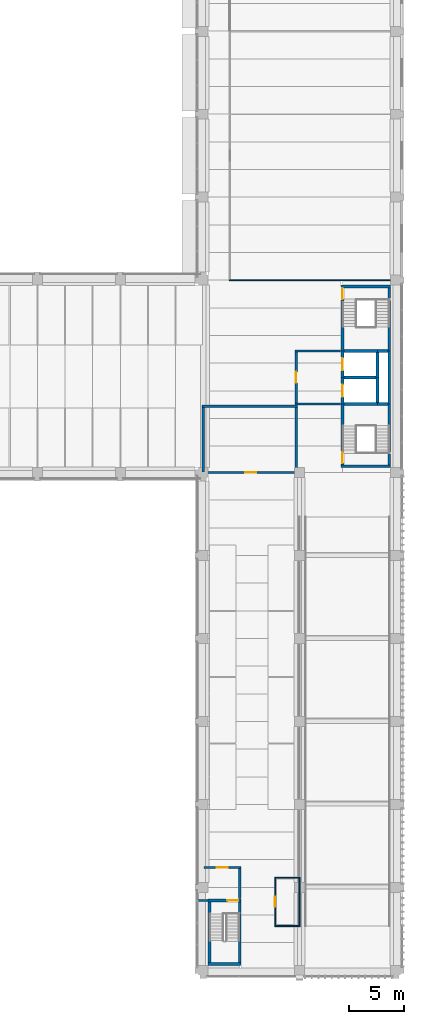
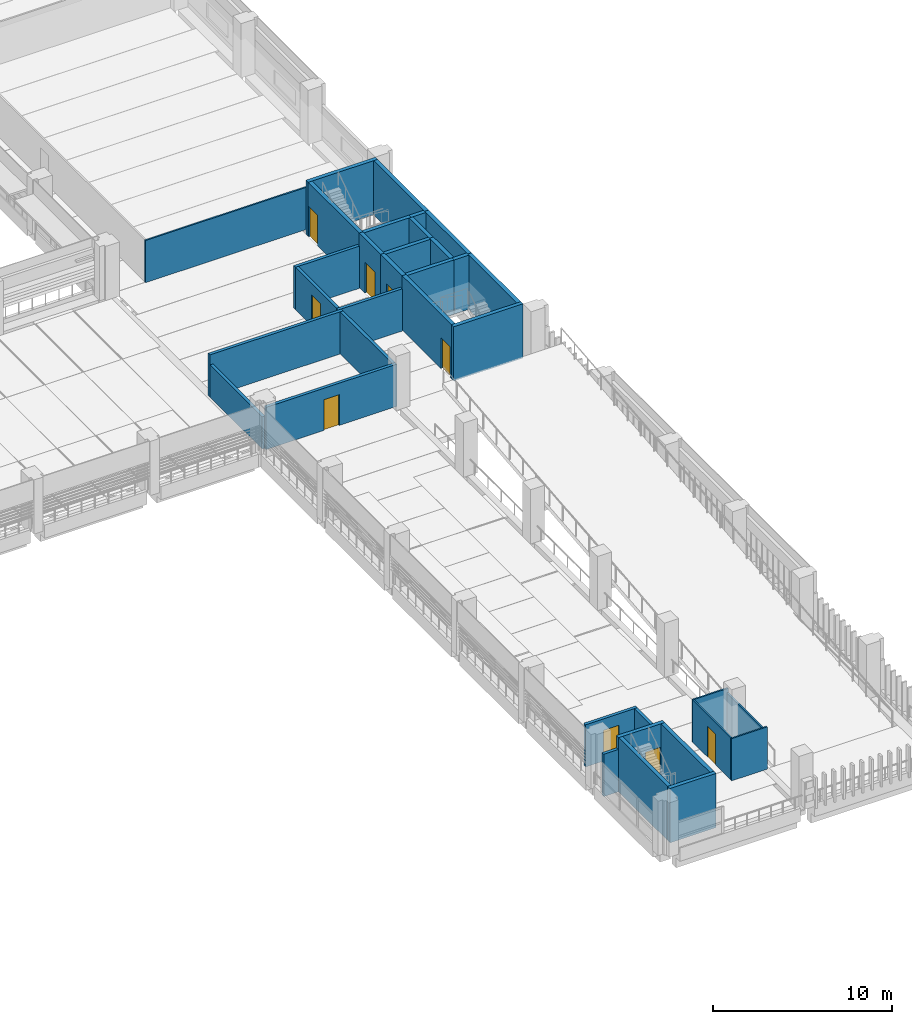
# One storey, part 33 of 57: 35 walls, 9 doors, 9 openings.
"""IFC4 building model written with IfcOpenShell, lengths in metres."""

from ifc_helpers import new_model, si_unit, direction, frame, frame_2d, origin, place, context, subcontext, project, spatial, rectangle, extrude, material, layer, layer_set, type_object, element, fill, save


model = new_model("IFC4")

# Units and contexts
model_context = context("Model", 3, precision=1e-05, world=origin(), true_north=direction((0.0, 1.0)))
body_context = subcontext(model_context, "Body", "Model", "MODEL_VIEW")
ifc_project = project(units=[si_unit("LENGTHUNIT", "METRE"), si_unit("AREAUNIT", "SQUARE_METRE"), si_unit("VOLUMEUNIT", "CUBIC_METRE"), si_unit("PLANEANGLEUNIT", "RADIAN"), si_unit("MASSUNIT", "GRAM", prefix="KILO")], contexts=[model_context])

# Site, building, storey
site_placement = place(None, origin())
site = spatial("IfcSite", under=ifc_project, at=site_placement, CompositionType="ELEMENT")
building_placement = place(site_placement, origin())
building = spatial("IfcBuilding", under=site, at=building_placement, Name="Cour d'Honneur Mobility Palace", CompositionType="ELEMENT")
storey_placement = place(building_placement, frame((0.0, 0.0, 8.199951171875)))
storey = spatial("IfcBuildingStorey", under=building, at=storey_placement, Name="L02", CompositionType="ELEMENT", Elevation=8.199951171875)

# Wall
ifc_material_1 = material(Name="Concrete C50", Category="concrete")
ifc_layer_1 = layer(ifc_material_1, 0.25)
ifc_layer_set_1 = layer_set([ifc_layer_1], Name="Concrete C50")
wall_type_1 = type_object("IfcWallType", Name="Lift shaft wall 250", PredefinedType="SHEAR", material=ifc_layer_set_1)
wall_1_placement = place(storey_placement, frame((157.625, 53.60009765625, 0.0), z_axis=(0.0, 0.0, 1.0), x_axis=(1.0, 0.0, 0.0)))
element("IfcWall", 1, at=wall_1_placement, inside=storey, type_object=wall_type_1, Name="Lift shaft wall WL-CE4 L02", PredefinedType="SHEAR", context=body_context, shape_type="SweptSolid", body=[
    extrude(rectangle(XDim=2.89990234375, YDim=0.25, at=frame_2d((1.449951171875, 0.0))), origin(), (0.0, 0.0, 1.0), 3.699951171875),
])

# Wall, opening, door
wall_2_placement = place(storey_placement, frame((157.5, 51.199951171875, 0.0), z_axis=(0.0, 0.0, 1.0), x_axis=(0.0, 1.0, 0.0)))
wall_2 = element("IfcWall", 2, at=wall_2_placement, inside=storey, type_object=wall_type_1, Name="Lift shaft wall WL-CE9 L02", PredefinedType="SHEAR", context=body_context, shape_type="SweptSolid", body=[
    extrude(rectangle(XDim=2.400146484375, YDim=0.25, at=frame_2d((1.2001953125, 0.0))), origin(), (0.0, 0.0, 1.0), 3.699951171875),
])
opening_1_placement = place(wall_2_placement, frame((0.64990234375, 0.0, 0.0)))
opening_1 = element("IfcOpeningElement", 3, at=opening_1_placement, cuts=wall_2, Name="Opening LD23", PredefinedType="OPENING", context=body_context, shape_type="SweptSolid", body=[
    extrude(rectangle(XDim=1.10009765625, YDim=2.10009765625, at=frame_2d((0.550048828125, 1.050048828125))), frame((0.0, 0.135009765625, 0.0), z_axis=(0.0, -1.0, 0.0), x_axis=(1.0, 0.0, 0.0)), (0.0, 0.0, 1.0), 0.27001953125),
])
ifc_material_2 = material(Name="Stainless steel", Category="steel")
door_type_1 = type_object("IfcDoorType", Name="Landing door 1100 x 2100", OperationType="SLIDING_TO_LEFT", PredefinedType="DOOR", material=ifc_material_2)
door_1_placement = place(opening_1_placement, origin())
door_1 = element("IfcDoor", 4, at=door_1_placement, inside=storey, type_object=door_type_1, Name="Landing door LF-CE1 L02", OperationType="SLIDING_TO_LEFT", OverallHeight=2.10009765625, OverallWidth=1.10009765625, PredefinedType="DOOR", context=body_context, shape_type="SweptSolid", body=[
    extrude(rectangle(XDim=1.10009765625, YDim=2.10009765625, at=frame_2d((0.550048828125, 1.050048828125))), frame((0.0, 0.02490234375, 0.0), z_axis=(0.0, -1.0, 0.0), x_axis=(1.0, 0.0, 0.0)), (0.0, 0.0, 1.0), 0.050048828125),
])
fill(opening_1, door_1)

wall_3_placement = place(storey_placement, frame((157.5, 53.60009765625, 0.0), z_axis=(0.0, 0.0, 1.0), x_axis=(0.0, 1.0, 0.0)))
wall_3 = element("IfcWall", 5, at=wall_3_placement, inside=storey, type_object=wall_type_1, Name="Lift shaft wall WL-CE10 L02", PredefinedType="SHEAR", context=body_context, shape_type="SweptSolid", body=[
    extrude(rectangle(XDim=2.39990234375, YDim=0.25, at=frame_2d((1.199951171875, 0.0))), origin(), (0.0, 0.0, 1.0), 3.699951171875),
])
opening_2_placement = place(wall_3_placement, frame((0.64990234375, 0.0, 0.0)))
opening_2 = element("IfcOpeningElement", 6, at=opening_2_placement, cuts=wall_3, Name="Opening LD33", PredefinedType="OPENING", context=body_context, shape_type="SweptSolid", body=[
    extrude(rectangle(XDim=1.10009765625, YDim=2.10009765625, at=frame_2d((0.550048828125, 1.050048828125))), frame((0.0, 0.135009765625, 0.0), z_axis=(0.0, -1.0, 0.0), x_axis=(1.0, 0.0, 0.0)), (0.0, 0.0, 1.0), 0.27001953125),
])
door_2_placement = place(opening_2_placement, origin())
door_2 = element("IfcDoor", 7, at=door_2_placement, inside=storey, type_object=door_type_1, Name="Landing door LF-CE2 L02", OperationType="SLIDING_TO_LEFT", OverallHeight=2.10009765625, OverallWidth=1.10009765625, PredefinedType="DOOR", context=body_context, shape_type="SweptSolid", body=[
    extrude(rectangle(XDim=1.10009765625, YDim=2.10009765625, at=frame_2d((0.550048828125, 1.050048828125))), frame((0.0, 0.02490234375, 0.0), z_axis=(0.0, -1.0, 0.0), x_axis=(1.0, 0.0, 0.0)), (0.0, 0.0, 1.0), 0.050048828125),
])
fill(opening_2, door_2)

# Walls
wall_4_placement = place(storey_placement, frame((160.64990234375, 51.324951171875, 0.0), z_axis=(0.0, 0.0, 1.0), x_axis=(0.0, 1.0, 0.0)))
element("IfcWall", 8, at=wall_4_placement, inside=storey, type_object=wall_type_1, Name="Lift shaft wall WL-CE12 L02", PredefinedType="SHEAR", context=body_context, shape_type="SweptSolid", body=[
    extrude(rectangle(XDim=2.275146484375, YDim=0.25, at=frame_2d((1.1376953125, 0.0))), origin(), (0.0, 0.0, 1.0), 3.699951171875),
])
wall_5_placement = place(storey_placement, frame((160.64990234375, 53.60009765625, 0.0), z_axis=(0.0, 0.0, 1.0), x_axis=(0.0, 1.0, 0.0)))
element("IfcWall", 9, at=wall_5_placement, inside=storey, type_object=wall_type_1, Name="Lift shaft wall WL-CE13 L02", PredefinedType="SHEAR", context=body_context, shape_type="SweptSolid", body=[
    extrude(rectangle(XDim=2.27490234375, YDim=0.25, at=frame_2d((1.137451171875, 0.0))), origin(), (0.0, 0.0, 1.0), 3.699951171875),
])
ifc_material_3 = material(Name="Gypsum plasterboard")
ifc_layer_2 = layer(ifc_material_3, 0.10009765625)
ifc_layer_set_2 = layer_set([ifc_layer_2], Name="Gypsum plasterboard")
wall_type_2 = type_object("IfcWallType", Name="Partition 100", PredefinedType="PARTITIONING", material=ifc_layer_set_2)
wall_6_placement = place(storey_placement, frame((151.35009765625, 4.0, 0.0), z_axis=(0.0, 0.0, 1.0), x_axis=(1.0, 0.0, 0.0)))
element("IfcWall", 10, at=wall_6_placement, inside=storey, type_object=wall_type_2, Name="Partition 003", PredefinedType="PARTITIONING", context=body_context, shape_type="SweptSolid", body=[
    extrude(rectangle(XDim=2.2998046875, YDim=0.10009765625, at=frame_2d((1.14990234375, 0.0))), origin(), (0.0, 0.0, 1.0), 2.880126953125),
])

# Wall, opening, door
wall_7_placement = place(storey_placement, frame((151.39990234375, 8.300048828125, 0.0), z_axis=(0.0, 0.0, 1.0), x_axis=(0.0, -1.0, 0.0)))
wall_7 = element("IfcWall", 11, at=wall_7_placement, inside=storey, type_object=wall_type_2, Name="Partition 010", PredefinedType="PARTITIONING", context=body_context, shape_type="SweptSolid", body=[
    extrude(rectangle(XDim=4.25, YDim=0.10009765625, at=frame_2d((2.125, 0.0))), origin(), (0.0, 0.0, 1.0), 2.880126953125),
])
opening_3_placement = place(wall_7_placement, frame((1.675048828125, 0.0, 0.0)))
opening_3 = element("IfcOpeningElement", 12, at=opening_3_placement, cuts=wall_7, Name="Opening D0210", PredefinedType="OPENING", context=body_context, shape_type="SweptSolid", body=[
    extrude(rectangle(XDim=0.89990234375, YDim=2.10009765625, at=frame_2d((0.449951171875, 1.050048828125))), frame((0.0, 0.06005859375, 0.0), z_axis=(0.0, -1.0, 0.0), x_axis=(1.0, 0.0, 0.0)), (0.0, 0.0, 1.0), 0.1201171875),
])
ifc_material_4 = material(Name="Solid timber", Category="wood")
door_type_2 = type_object("IfcDoorType", Name="Single door 900 x 2100", OperationType="SINGLE_SWING_LEFT", PredefinedType="DOOR", material=ifc_material_4)
door_3_placement = place(opening_3_placement, origin())
door_3 = element("IfcDoor", 13, at=door_3_placement, inside=storey, type_object=door_type_2, Name="Door Attendant Room East", OperationType="SINGLE_SWING_RIGHT", OverallHeight=2.10009765625, OverallWidth=0.89990234375, PredefinedType="DOOR", context=body_context, shape_type="SweptSolid", body=[
    extrude(rectangle(XDim=0.89990234375, YDim=2.10009765625, at=frame_2d((0.449951171875, 1.050048828125))), frame((0.0, 0.02490234375, 0.0), z_axis=(0.0, -1.0, 0.0), x_axis=(1.0, 0.0, 0.0)), (0.0, 0.0, 1.0), 0.050048828125),
])
fill(opening_3, door_3)

# Walls
wall_8_placement = place(storey_placement, frame((153.64990234375, 8.35009765625, 0.0), z_axis=(0.0, 0.0, 1.0), x_axis=(-1.0, 0.0, 0.0)))
element("IfcWall", 14, at=wall_8_placement, inside=storey, type_object=wall_type_2, Name="Partition 011", PredefinedType="PARTITIONING", context=body_context, shape_type="SweptSolid", body=[
    extrude(rectangle(XDim=2.2998046875, YDim=0.10009765625, at=frame_2d((1.14990234375, 0.0))), origin(), (0.0, 0.0, 1.0), 2.880126953125),
])
wall_9_placement = place(storey_placement, frame((147.25, 62.39990234375, 0.0), z_axis=(0.0, 0.0, 1.0), x_axis=(1.0, 0.0, 0.0)))
element("IfcWall", 15, at=wall_9_placement, inside=storey, type_object=wall_type_2, Name="Partition 043", PredefinedType="PARTITIONING", context=body_context, shape_type="SweptSolid", body=[
    extrude(rectangle(XDim=14.989990234375, YDim=0.10009765625, at=frame_2d((7.4951171875, 0.0))), origin(), (0.0, 0.0, 1.0), 2.880126953125),
])
ifc_material_5 = material(Name="Gypsum plasterboard")
ifc_layer_3 = layer(ifc_material_5, 0.10009765625)
ifc_layer_set_3 = layer_set([ifc_layer_3], Name="Gypsum plasterboard")
wall_type_3 = type_object("IfcWallType", Name="Partition 100 under beam 1100", PredefinedType="PARTITIONING", material=ifc_layer_set_3)
wall_10_placement = place(storey_placement, frame((153.60009765625, 4.050048828125, 0.0), z_axis=(0.0, 0.0, 1.0), x_axis=(0.0, 1.0, 0.0)))
element("IfcWall", 16, at=wall_10_placement, inside=storey, type_object=wall_type_3, Name="Partition 004", PredefinedType="PARTITIONING", context=body_context, shape_type="SweptSolid", body=[
    extrude(rectangle(XDim=4.25, YDim=0.10009765625, at=frame_2d((2.125, 0.0))), origin(), (0.0, 0.0, 1.0), 2.60009765625),
])
ifc_material_6 = material(Name="Gypsum plasterboard")
ifc_layer_4 = layer(ifc_material_6, 0.199951171875)
ifc_layer_set_4 = layer_set([ifc_layer_4], Name="Gypsum plasterboard")
wall_type_4 = type_object("IfcWallType", Name="Partition 200 rated EI 120", PredefinedType="PARTITIONING", material=ifc_layer_set_4)
wall_11_placement = place(storey_placement, frame((144.39990234375, 6.300048828125, 0.0), z_axis=(0.0, 0.0, 1.0), x_axis=(1.0, 0.0, 0.0)))
element("IfcWall", 17, at=wall_11_placement, inside=storey, type_object=wall_type_4, Name="Partition 006", PredefinedType="PARTITIONING", context=body_context, shape_type="SweptSolid", body=[
    extrude(rectangle(XDim=0.9501953125, YDim=0.199951171875, at=frame_2d((0.47509765625, 0.0))), origin(), (0.0, 0.0, 1.0), 2.880126953125),
])
wall_12_placement = place(storey_placement, frame((148.199951171875, 6.47509765625, 0.0), z_axis=(0.0, 0.0, 1.0), x_axis=(0.0, 1.0, 0.0)))
element("IfcWall", 18, at=wall_12_placement, inside=storey, type_object=wall_type_4, Name="Partition 007", PredefinedType="PARTITIONING", context=body_context, shape_type="SweptSolid", body=[
    extrude(rectangle(XDim=2.724853515625, YDim=0.199951171875, at=frame_2d((1.3623046875, 0.0))), origin(), (0.0, 0.0, 1.0), 2.880126953125),
])

# Wall, opening, door
wall_13_placement = place(storey_placement, frame((148.300048828125, 9.300048828125, 0.0), z_axis=(0.0, 0.0, 1.0), x_axis=(-1.0, 0.0, 0.0)))
wall_13 = element("IfcWall", 19, at=wall_13_placement, inside=storey, type_object=wall_type_4, Name="Partition 014", PredefinedType="PARTITIONING", context=body_context, shape_type="SweptSolid", body=[
    extrude(rectangle(XDim=3.340087890625, YDim=0.199951171875, at=frame_2d((1.669921875, 0.0))), origin(), (0.0, 0.0, 1.0), 2.880126953125),
])
opening_4_placement = place(wall_13_placement, frame((1.169921875, 0.0, 0.0)))
opening_4 = element("IfcOpeningElement", 20, at=opening_4_placement, cuts=wall_13, Name="Opening D0208", PredefinedType="OPENING", context=body_context, shape_type="SweptSolid", body=[
    extrude(rectangle(XDim=1.0, YDim=2.10009765625, at=frame_2d((0.5, 1.050048828125))), frame((0.0, 0.10986328125, 0.0), z_axis=(0.0, -1.0, 0.0), x_axis=(1.0, 0.0, 0.0)), (0.0, 0.0, 1.0), 0.219970703125),
])
ifc_material_7 = material(Name="Galvanised steel", Category="steel")
door_type_3 = type_object("IfcDoorType", Name="Fire door FD120 1000 x 2100", OperationType="SINGLE_SWING_LEFT", PredefinedType="DOOR", material=ifc_material_7)
door_4_placement = place(opening_4_placement, origin())
door_4 = element("IfcDoor", 21, at=door_4_placement, inside=storey, type_object=door_type_3, Name="Door Stair Lobby RE", OperationType="SINGLE_SWING_RIGHT", OverallHeight=2.10009765625, OverallWidth=1.0, PredefinedType="DOOR", context=body_context, shape_type="SweptSolid", body=[
    extrude(rectangle(XDim=1.0, YDim=2.10009765625, at=frame_2d((0.5, 1.050048828125))), frame((0.0, 0.02490234375, 0.0), z_axis=(0.0, -1.0, 0.0), x_axis=(1.0, 0.0, 0.0)), (0.0, 0.0, 1.0), 0.050048828125),
])
fill(opening_4, door_4)

wall_14_placement = place(storey_placement, frame((144.9599609375, 45.0, 0.0), z_axis=(0.0, 0.0, 1.0), x_axis=(1.0, 0.0, 0.0)))
wall_14 = element("IfcWall", 22, at=wall_14_placement, inside=storey, type_object=wall_type_4, Name="Partition 016", PredefinedType="PARTITIONING", context=body_context, shape_type="SweptSolid", body=[
    extrude(rectangle(XDim=8.43994140625, YDim=0.199951171875, at=frame_2d((4.219970703125, 0.0))), origin(), (0.0, 0.0, 1.0), 2.880126953125),
])
opening_5_placement = place(wall_14_placement, frame((3.719970703125, 0.0, 0.0)))
opening_5 = element("IfcOpeningElement", 23, at=opening_5_placement, cuts=wall_14, Name="Opening D0212", PredefinedType="OPENING", context=body_context, shape_type="SweptSolid", body=[
    extrude(rectangle(XDim=1.0, YDim=2.10009765625, at=frame_2d((0.5, 1.050048828125))), frame((0.0, 0.10986328125, 0.0), z_axis=(0.0, -1.0, 0.0), x_axis=(1.0, 0.0, 0.0)), (0.0, 0.0, 1.0), 0.219970703125),
])
door_5_placement = place(opening_5_placement, origin())
door_5 = element("IfcDoor", 24, at=door_5_placement, inside=storey, type_object=door_type_3, Name="Door EV Switch Room East", OperationType="SINGLE_SWING_LEFT", OverallHeight=2.10009765625, OverallWidth=1.0, PredefinedType="DOOR", context=body_context, shape_type="SweptSolid", body=[
    extrude(rectangle(XDim=1.0, YDim=2.10009765625, at=frame_2d((0.5, 1.050048828125))), frame((0.0, 0.02490234375, 0.0), z_axis=(0.0, -1.0, 0.0), x_axis=(1.0, 0.0, 0.0)), (0.0, 0.0, 1.0), 0.050048828125),
])
fill(opening_5, door_5)

# Walls
wall_15_placement = place(storey_placement, frame((153.300048828125, 45.10009765625, 0.0), z_axis=(0.0, 0.0, 1.0), x_axis=(0.0, 1.0, 0.0)))
element("IfcWall", 25, at=wall_15_placement, inside=storey, type_object=wall_type_4, Name="Partition 017", PredefinedType="PARTITIONING", context=body_context, shape_type="SweptSolid", body=[
    extrude(rectangle(XDim=5.7998046875, YDim=0.199951171875, at=frame_2d((2.89990234375, 0.0))), origin(), (0.0, 0.0, 1.0), 2.880126953125),
])
wall_16_placement = place(storey_placement, frame((153.39990234375, 51.0, 0.0), z_axis=(0.0, 0.0, 1.0), x_axis=(-1.0, 0.0, 0.0)))
element("IfcWall", 26, at=wall_16_placement, inside=storey, type_object=wall_type_4, Name="Partition 027", PredefinedType="PARTITIONING", context=body_context, shape_type="SweptSolid", body=[
    extrude(rectangle(XDim=8.599853515625, YDim=0.199951171875, at=frame_2d((4.2998046875, 0.0))), origin(), (0.0, 0.0, 1.0), 2.880126953125),
])
wall_17_placement = place(storey_placement, frame((153.199951171875, 51.199951171875, 0.0), z_axis=(0.0, 0.0, 1.0), x_axis=(1.0, 0.0, 0.0)))
element("IfcWall", 27, at=wall_17_placement, inside=storey, type_object=wall_type_4, Name="Partition 030", PredefinedType="PARTITIONING", context=body_context, shape_type="SweptSolid", body=[
    extrude(rectangle(XDim=4.125, YDim=0.199951171875, at=frame_2d((2.0625, 0.0))), origin(), (0.0, 0.0, 1.0), 2.880126953125),
])

# Wall, opening, door
wall_18_placement = place(storey_placement, frame((153.300048828125, 55.89990234375, 0.0), z_axis=(0.0, 0.0, 1.0), x_axis=(0.0, -1.0, 0.0)))
wall_18 = element("IfcWall", 28, at=wall_18_placement, inside=storey, type_object=wall_type_4, Name="Partition 038", PredefinedType="PARTITIONING", context=body_context, shape_type="SweptSolid", body=[
    extrude(rectangle(XDim=4.599853515625, YDim=0.199951171875, at=frame_2d((2.2998046875, 0.0))), origin(), (0.0, 0.0, 1.0), 2.880126953125),
])
opening_6_placement = place(wall_18_placement, frame((1.800048828125, 0.0, 0.0)))
opening_6 = element("IfcOpeningElement", 29, at=opening_6_placement, cuts=wall_18, Name="Opening D0228", PredefinedType="OPENING", context=body_context, shape_type="SweptSolid", body=[
    extrude(rectangle(XDim=1.0, YDim=2.10009765625, at=frame_2d((0.5, 1.050048828125))), frame((0.0, 0.10986328125, 0.0), z_axis=(0.0, -1.0, 0.0), x_axis=(1.0, 0.0, 0.0)), (0.0, 0.0, 1.0), 0.219970703125),
])
door_6_placement = place(opening_6_placement, origin())
door_6 = element("IfcDoor", 30, at=door_6_placement, inside=storey, type_object=door_type_3, Name="Door Firefighting Lobby CE", OperationType="SINGLE_SWING_LEFT", OverallHeight=2.10009765625, OverallWidth=1.0, PredefinedType="DOOR", context=body_context, shape_type="SweptSolid", body=[
    extrude(rectangle(XDim=1.0, YDim=2.10009765625, at=frame_2d((0.5, 1.050048828125))), frame((0.0, 0.02490234375, 0.0), z_axis=(0.0, -1.0, 0.0), x_axis=(1.0, 0.0, 0.0)), (0.0, 0.0, 1.0), 0.050048828125),
])
fill(opening_6, door_6)

# Walls
wall_19_placement = place(storey_placement, frame((157.324951171875, 56.0, 0.0), z_axis=(0.0, 0.0, 1.0), x_axis=(-1.0, 0.0, 0.0)))
element("IfcWall", 31, at=wall_19_placement, inside=storey, type_object=wall_type_4, Name="Partition 039", PredefinedType="PARTITIONING", context=body_context, shape_type="SweptSolid", body=[
    extrude(rectangle(XDim=4.125, YDim=0.199951171875, at=frame_2d((2.0625, 0.0))), origin(), (0.0, 0.0, 1.0), 2.880126953125),
])
ifc_material_8 = material(Name="Gypsum plasterboard")
ifc_layer_5 = layer(ifc_material_8, 0.199951171875)
ifc_layer_set_5 = layer_set([ifc_layer_5], Name="Gypsum plasterboard")
wall_type_5 = type_object("IfcWallType", Name="Partition 200 rated EI 120 under beam 1500", PredefinedType="PARTITIONING", material=ifc_layer_set_5)
wall_20_placement = place(storey_placement, frame((144.89990234375, 50.89990234375, 0.0), z_axis=(0.0, 0.0, 1.0), x_axis=(0.0, -1.0, 0.0)))
element("IfcWall", 32, at=wall_20_placement, inside=storey, type_object=wall_type_5, Name="Partition 026", PredefinedType="PARTITIONING", context=body_context, shape_type="SweptSolid", body=[
    extrude(rectangle(XDim=5.83984375, YDim=0.199951171875, at=frame_2d((2.919921875, 0.0))), origin(), (0.0, 0.0, 1.0), 2.199951171875),
])
ifc_material_9 = material(Name="Concrete C50", Category="concrete")
ifc_layer_6 = layer(ifc_material_9, 0.25)
ifc_layer_set_6 = layer_set([ifc_layer_6], Name="Concrete C50")
wall_type_6 = type_object("IfcWallType", Name="Shaft wall 250", PredefinedType="SHEAR", material=ifc_layer_set_6)
wall_21_placement = place(storey_placement, frame((161.72509765625, 51.199951171875, 0.0), z_axis=(0.0, 0.0, 1.0), x_axis=(0.0, 1.0, 0.0)))
element("IfcWall", 33, at=wall_21_placement, inside=storey, type_object=wall_type_6, Name="Shaft wall WR-CE15 L02", PredefinedType="SHEAR", context=body_context, shape_type="SweptSolid", body=[
    extrude(rectangle(XDim=4.800048828125, YDim=0.25, at=frame_2d((2.39990234375, 0.0))), origin(), (0.0, 0.0, 1.0), 3.699951171875),
])
ifc_material_10 = material(Name="Concrete C50", Category="concrete")
ifc_layer_7 = layer(ifc_material_10, 0.25)
ifc_layer_set_7 = layer_set([ifc_layer_7], Name="Concrete C50")
wall_type_7 = type_object("IfcWallType", Name="Stair wall 250", PredefinedType="SHEAR", material=ifc_layer_set_7)
wall_22_placement = place(storey_placement, frame((157.375, 45.574951171875, 0.0), z_axis=(0.0, 0.0, 1.0), x_axis=(1.0, 0.0, 0.0)))
element("IfcWall", 34, at=wall_22_placement, inside=storey, type_object=wall_type_7, Name="Stair wall WS-CE1 L02", PredefinedType="SHEAR", context=body_context, shape_type="SweptSolid", body=[
    extrude(rectangle(XDim=4.47509765625, YDim=0.25, at=frame_2d((2.237548828125, 0.0))), origin(), (0.0, 0.0, 1.0), 3.699951171875),
])
wall_23_placement = place(storey_placement, frame((157.625, 51.199951171875, 0.0), z_axis=(0.0, 0.0, 1.0), x_axis=(1.0, 0.0, 0.0)))
element("IfcWall", 35, at=wall_23_placement, inside=storey, type_object=wall_type_7, Name="Stair wall WS-CE2 L02", PredefinedType="SHEAR", context=body_context, shape_type="SweptSolid", body=[
    extrude(rectangle(XDim=3.02490234375, YDim=0.25, at=frame_2d((1.512451171875, 0.0))), origin(), (0.0, 0.0, 1.0), 3.699951171875),
])
wall_24_placement = place(storey_placement, frame((160.64990234375, 51.199951171875, 0.0), z_axis=(0.0, 0.0, 1.0), x_axis=(1.0, 0.0, 0.0)))
element("IfcWall", 36, at=wall_24_placement, inside=storey, type_object=wall_type_7, Name="Stair wall WS-CE3 L02", PredefinedType="SHEAR", context=body_context, shape_type="SweptSolid", body=[
    extrude(rectangle(XDim=0.9501953125, YDim=0.25, at=frame_2d((0.47509765625, 0.0))), origin(), (0.0, 0.0, 1.0), 3.699951171875),
])
wall_25_placement = place(storey_placement, frame((157.625, 56.0, 0.0), z_axis=(0.0, 0.0, 1.0), x_axis=(1.0, 0.0, 0.0)))
element("IfcWall", 37, at=wall_25_placement, inside=storey, type_object=wall_type_7, Name="Stair wall WS-CE5 L02", PredefinedType="SHEAR", context=body_context, shape_type="SweptSolid", body=[
    extrude(rectangle(XDim=3.02490234375, YDim=0.25, at=frame_2d((1.512451171875, 0.0))), origin(), (0.0, 0.0, 1.0), 3.699951171875),
])
wall_26_placement = place(storey_placement, frame((160.64990234375, 56.0, 0.0), z_axis=(0.0, 0.0, 1.0), x_axis=(1.0, 0.0, 0.0)))
element("IfcWall", 38, at=wall_26_placement, inside=storey, type_object=wall_type_7, Name="Stair wall WS-CE6 L02", PredefinedType="SHEAR", context=body_context, shape_type="SweptSolid", body=[
    extrude(rectangle(XDim=0.9501953125, YDim=0.25, at=frame_2d((0.47509765625, 0.0))), origin(), (0.0, 0.0, 1.0), 3.699951171875),
])
wall_27_placement = place(storey_placement, frame((157.375, 61.824951171875, 0.0), z_axis=(0.0, 0.0, 1.0), x_axis=(1.0, 0.0, 0.0)))
element("IfcWall", 39, at=wall_27_placement, inside=storey, type_object=wall_type_7, Name="Stair wall WS-CE7 L02", PredefinedType="SHEAR", context=body_context, shape_type="SweptSolid", body=[
    extrude(rectangle(XDim=4.47509765625, YDim=0.25, at=frame_2d((2.237548828125, 0.0))), origin(), (0.0, 0.0, 1.0), 3.699951171875),
])

# Wall, opening, door
wall_28_placement = place(storey_placement, frame((157.5, 45.699951171875, 0.0), z_axis=(0.0, 0.0, 1.0), x_axis=(0.0, 1.0, 0.0)))
wall_28 = element("IfcWall", 40, at=wall_28_placement, inside=storey, type_object=wall_type_7, Name="Stair wall WS-CE8 L02", PredefinedType="SHEAR", context=body_context, shape_type="SweptSolid", body=[
    extrude(rectangle(XDim=5.5, YDim=0.25, at=frame_2d((2.75, 0.0))), origin(), (0.0, 0.0, 1.0), 3.699951171875),
])
opening_7_placement = place(wall_28_placement, frame((0.14990234375, 0.0, 0.0)))
opening_7 = element("IfcOpeningElement", 41, at=opening_7_placement, cuts=wall_28, Name="Opening S141", PredefinedType="OPENING", context=body_context, shape_type="SweptSolid", body=[
    extrude(rectangle(XDim=1.0, YDim=2.10009765625, at=frame_2d((0.5, 1.050048828125))), frame((0.0, 0.135009765625, 0.0), z_axis=(0.0, -1.0, 0.0), x_axis=(1.0, 0.0, 0.0)), (0.0, 0.0, 1.0), 0.27001953125),
])
ifc_material_11 = material(Name="Galvanised steel", Category="steel")
door_type_4 = type_object("IfcDoorType", Name="Fire door FD120 stair 1000 x 2100", OperationType="SINGLE_SWING_LEFT", PredefinedType="DOOR", material=ifc_material_11)
door_7_placement = place(opening_7_placement, origin())
door_7 = element("IfcDoor", 42, at=door_7_placement, inside=storey, type_object=door_type_4, Name="Stair door ST-CE1 L02", OperationType="SINGLE_SWING_LEFT", OverallHeight=2.10009765625, OverallWidth=1.0, PredefinedType="DOOR", context=body_context, shape_type="SweptSolid", body=[
    extrude(rectangle(XDim=1.0, YDim=2.10009765625, at=frame_2d((0.5, 1.050048828125))), frame((0.0, 0.02490234375, 0.0), z_axis=(0.0, -1.0, 0.0), x_axis=(1.0, 0.0, 0.0)), (0.0, 0.0, 1.0), 0.050048828125),
])
fill(opening_7, door_7)

wall_29_placement = place(storey_placement, frame((157.5, 56.0, 0.0), z_axis=(0.0, 0.0, 1.0), x_axis=(0.0, 1.0, 0.0)))
wall_29 = element("IfcWall", 43, at=wall_29_placement, inside=storey, type_object=wall_type_7, Name="Stair wall WS-CE11 L02", PredefinedType="SHEAR", context=body_context, shape_type="SweptSolid", body=[
    extrude(rectangle(XDim=5.699951171875, YDim=0.25, at=frame_2d((2.85009765625, 0.0))), origin(), (0.0, 0.0, 1.0), 3.699951171875),
])
opening_8_placement = place(wall_29_placement, frame((4.675048828125, 0.0, 0.0)))
opening_8 = element("IfcOpeningElement", 44, at=opening_8_placement, cuts=wall_29, Name="Opening S77", PredefinedType="OPENING", context=body_context, shape_type="SweptSolid", body=[
    extrude(rectangle(XDim=1.0, YDim=2.10009765625, at=frame_2d((0.5, 1.050048828125))), frame((0.0, 0.135009765625, 0.0), z_axis=(0.0, -1.0, 0.0), x_axis=(1.0, 0.0, 0.0)), (0.0, 0.0, 1.0), 0.27001953125),
])
door_8_placement = place(opening_8_placement, origin())
door_8 = element("IfcDoor", 45, at=door_8_placement, inside=storey, type_object=door_type_4, Name="Stair door ST-CE2 L02", OperationType="SINGLE_SWING_RIGHT", OverallHeight=2.10009765625, OverallWidth=1.0, PredefinedType="DOOR", context=body_context, shape_type="SweptSolid", body=[
    extrude(rectangle(XDim=1.0, YDim=2.10009765625, at=frame_2d((0.5, 1.050048828125))), frame((0.0, 0.02490234375, 0.0), z_axis=(0.0, -1.0, 0.0), x_axis=(1.0, 0.0, 0.0)), (0.0, 0.0, 1.0), 0.050048828125),
])
fill(opening_8, door_8)

# Walls
wall_30_placement = place(storey_placement, frame((161.72509765625, 45.699951171875, 0.0), z_axis=(0.0, 0.0, 1.0), x_axis=(0.0, 1.0, 0.0)))
element("IfcWall", 46, at=wall_30_placement, inside=storey, type_object=wall_type_7, Name="Stair wall WS-CE14 L02", PredefinedType="SHEAR", context=body_context, shape_type="SweptSolid", body=[
    extrude(rectangle(XDim=5.5, YDim=0.25, at=frame_2d((2.75, 0.0))), origin(), (0.0, 0.0, 1.0), 3.699951171875),
])
wall_31_placement = place(storey_placement, frame((161.72509765625, 56.0, 0.0), z_axis=(0.0, 0.0, 1.0), x_axis=(0.0, 1.0, 0.0)))
element("IfcWall", 47, at=wall_31_placement, inside=storey, type_object=wall_type_7, Name="Stair wall WS-CE16 L02", PredefinedType="SHEAR", context=body_context, shape_type="SweptSolid", body=[
    extrude(rectangle(XDim=5.699951171875, YDim=0.25, at=frame_2d((2.85009765625, 0.0))), origin(), (0.0, 0.0, 1.0), 3.699951171875),
])
wall_32_placement = place(storey_placement, frame((145.35009765625, 0.574951171875, 0.0), z_axis=(0.0, 0.0, 1.0), x_axis=(1.0, 0.0, 0.0)))
element("IfcWall", 48, at=wall_32_placement, inside=storey, type_object=wall_type_7, Name="Stair wall WS-RE1 L02", PredefinedType="SHEAR", context=body_context, shape_type="SweptSolid", body=[
    extrude(rectangle(XDim=2.974853515625, YDim=0.25, at=frame_2d((1.4873046875, 0.0))), origin(), (0.0, 0.0, 1.0), 3.699951171875),
])

# Wall, opening, door
wall_33_placement = place(storey_placement, frame((145.35009765625, 6.300048828125, 0.0), z_axis=(0.0, 0.0, 1.0), x_axis=(1.0, 0.0, 0.0)))
wall_33 = element("IfcWall", 49, at=wall_33_placement, inside=storey, type_object=wall_type_7, Name="Stair wall WS-RE2 L02", PredefinedType="SHEAR", context=body_context, shape_type="SweptSolid", body=[
    extrude(rectangle(XDim=2.974853515625, YDim=0.25, at=frame_2d((1.4873046875, 0.0))), origin(), (0.0, 0.0, 1.0), 3.699951171875),
])
opening_9_placement = place(wall_33_placement, frame((1.72509765625, 0.0, 0.0)))
opening_9 = element("IfcOpeningElement", 50, at=opening_9_placement, cuts=wall_33, Name="Opening S121", PredefinedType="OPENING", context=body_context, shape_type="SweptSolid", body=[
    extrude(rectangle(XDim=1.0, YDim=2.10009765625, at=frame_2d((0.5, 1.050048828125))), frame((0.0, 0.135009765625, 0.0), z_axis=(0.0, -1.0, 0.0), x_axis=(1.0, 0.0, 0.0)), (0.0, 0.0, 1.0), 0.27001953125),
])
door_9_placement = place(opening_9_placement, origin())
door_9 = element("IfcDoor", 51, at=door_9_placement, inside=storey, type_object=door_type_4, Name="Stair door ST-RE1 L02", OperationType="SINGLE_SWING_RIGHT", OverallHeight=2.10009765625, OverallWidth=1.0, PredefinedType="DOOR", context=body_context, shape_type="SweptSolid", body=[
    extrude(rectangle(XDim=1.0, YDim=2.10009765625, at=frame_2d((0.5, 1.050048828125))), frame((0.0, 0.02490234375, 0.0), z_axis=(0.0, -1.0, 0.0), x_axis=(1.0, 0.0, 0.0)), (0.0, 0.0, 1.0), 0.050048828125),
])
fill(opening_9, door_9)

# Walls
for number, where, z_axis, x_axis, name in (
    (52, (145.47509765625, 0.699951171875, 0.0), (0.0, 0.0, 1.0), (0.0, 1.0, 0.0), "Stair wall WS-RE3 L02"),
    (53, (148.199951171875, 0.699951171875, 0.0), (0.0, 0.0, 1.0), (0.0, 1.0, 0.0), "Stair wall WS-RE4 L02"),
):
    element("IfcWall", number, at=place(storey_placement, frame(where, z_axis=z_axis, x_axis=x_axis)), inside=storey, type_object=wall_type_7, Name=name, PredefinedType="SHEAR", context=body_context, shape_type="SweptSolid", body=[
        extrude(rectangle(XDim=5.47509765625, YDim=0.25, at=frame_2d((2.737548828125, 0.0))), origin(), (0.0, 0.0, 1.0), 3.699951171875),
    ])

save(model, "model.ifc")
